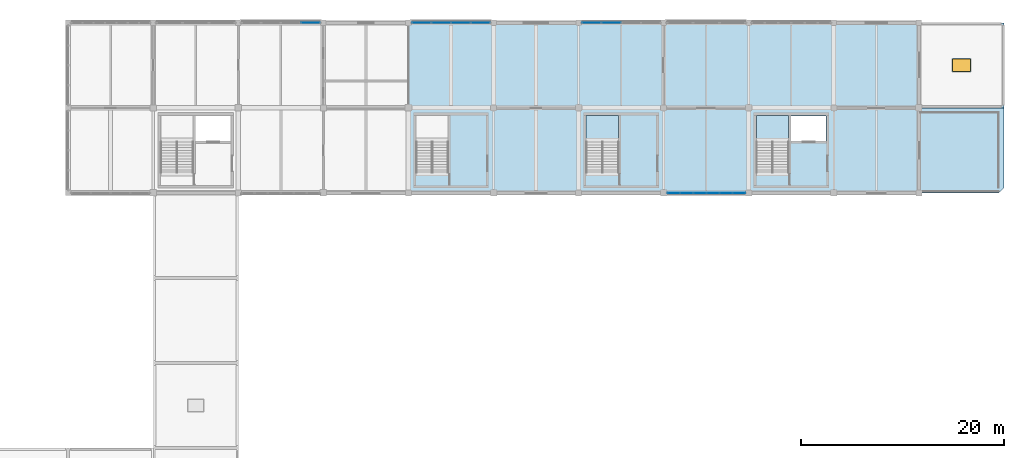
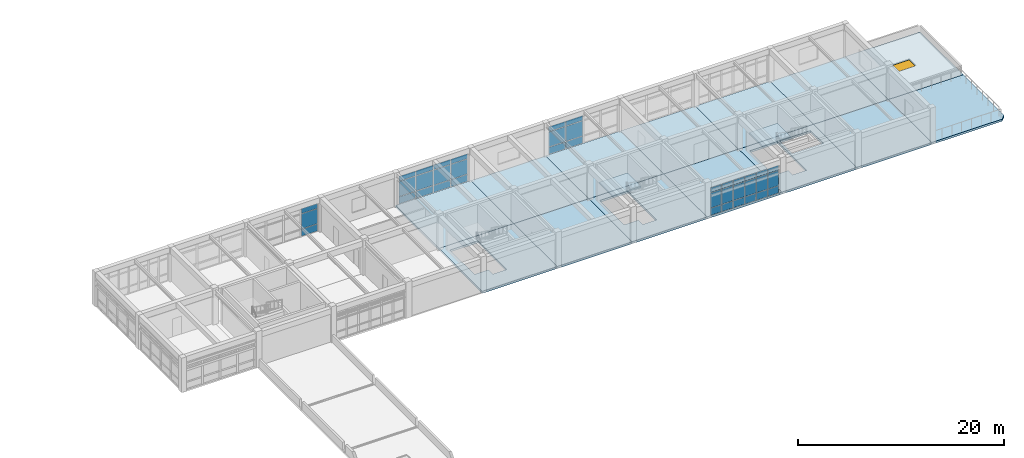
# One storey, part 13 of 18: 39 plates, 16 slabs, 1 window, 1 opening, 6 elements without a shape of their own.
"""IFC4 building model written with IfcOpenShell, lengths in metres."""

import ifcopenshell
import ifcopenshell.guid

model = None  # the IFC model being written
_history = None  # IfcOwnerHistory: only IFC2X3 demands one
_inside = {}  # id of a spatial element -> (the spatial element, [elements in it])
_under = {}  # id of a project, library or spatial element -> (it, [spatial elements below it])
_declared = {}  # id of a project -> (the project, [libraries it declares])
_typed = {}  # id of a type object -> (the type object, [elements of that type])
_made_of = {}  # id of a material, layer set ... -> (it, [elements and type objects made of it])


def new_model(schema):
    """Start an empty IFC model of exactly this schema.

    Asked for "IFC4X3", IfcOpenShell would pick the latest addendum, in which some entities
    have other attributes; the version numbers below select the first issue.
    IFC2X3 requires an IfcOwnerHistory on every rooted entity: one is made here for all.
    """
    global model, _history
    if schema == "IFC4X3":
        model = ifcopenshell.file(schema_version=(4, 3, 0, 0))
    else:
        model = ifcopenshell.file(schema=schema)
    _inside.clear()
    _under.clear()
    _declared.clear()
    _typed.clear()
    _made_of.clear()
    _history = None
    if model.schema == "IFC2X3":
        org = make("IfcOrganization", Name="unknown")
        user = make(
            "IfcPersonAndOrganization",
            ThePerson=make("IfcPerson", FamilyName="unknown"),
            TheOrganization=org,
        )
        app = make(
            "IfcApplication",
            ApplicationDeveloper=org,
            Version="unknown",
            ApplicationFullName="unknown",
            ApplicationIdentifier="unknown",
        )
        _history = make(
            "IfcOwnerHistory",
            OwningUser=user,
            OwningApplication=app,
            ChangeAction="ADDED",
            CreationDate=0,
        )
    return model


def make(cls, **values):
    """One entity of the class cls with the attributes given. An attribute that is None is left unset."""
    return model.create_entity(
        cls, **{name: value for name, value in values.items() if value is not None}
    )


def rooted(cls, **values):
    """An entity with a GlobalId (a new one), such as an element, a storey or a relation."""
    return make(cls, GlobalId=ifcopenshell.guid.new(), OwnerHistory=_history, **values)


def si_unit(unit_type, name, prefix=None):
    """IfcSIUnit, for example si_unit("LENGTHUNIT", "METRE", prefix="MILLI")."""
    return make("IfcSIUnit", UnitType=unit_type, Prefix=prefix, Name=name)


def assignment(units):
    """IfcUnitAssignment: the units of a project."""
    return None if units is None else make("IfcUnitAssignment", Units=units)


def point(xyz):
    """IfcCartesianPoint."""
    return None if xyz is None else make("IfcCartesianPoint", Coordinates=xyz)


def direction(xyz):
    """IfcDirection."""
    return None if xyz is None else make("IfcDirection", DirectionRatios=xyz)


def frame(location, z_axis=None, x_axis=None):
    """IfcAxis2Placement3D, a coordinate frame: its origin and axes. An axis left out is left unset."""
    return make(
        "IfcAxis2Placement3D",
        Location=point(location),
        Axis=direction(z_axis),
        RefDirection=direction(x_axis),
    )


def frame_2d(location, x_axis=None):
    """IfcAxis2Placement2D, a coordinate frame in the plane: its origin and x axis."""
    return make(
        "IfcAxis2Placement2D", Location=point(location), RefDirection=direction(x_axis)
    )


def origin():
    """The frame at (0, 0, 0) with its axes left unset."""
    return frame((0.0, 0.0, 0.0))


def origin_2d():
    """The frame at (0, 0) in the plane with its x axis left unset."""
    return frame_2d((0.0, 0.0))


def place(relative_to, where):
    """IfcLocalPlacement: puts the frame where relative to a parent placement (None: the world)."""
    return make(
        "IfcLocalPlacement", PlacementRelTo=relative_to, RelativePlacement=where
    )


def context(
    kind, dimensions, precision=None, world=None, true_north=None, identifier=None
):
    """IfcGeometricRepresentationContext, for example the 3D "Model" context."""
    return make(
        "IfcGeometricRepresentationContext",
        ContextIdentifier=identifier,
        ContextType=kind,
        CoordinateSpaceDimension=dimensions,
        Precision=precision,
        WorldCoordinateSystem=world,
        TrueNorth=true_north,
    )


def subcontext(parent, identifier, kind, view, scale=None):
    """IfcGeometricRepresentationSubContext, for example "Body" below "Model"."""
    return make(
        "IfcGeometricRepresentationSubContext",
        ContextIdentifier=identifier,
        ContextType=kind,
        ParentContext=parent,
        TargetScale=scale,
        TargetView=view,
    )


def project(units=None, contexts=None):
    """IfcProject with its units and contexts."""
    return rooted(
        "IfcProject",
        Name="project",
        RepresentationContexts=contexts,
        UnitsInContext=assignment(units),
    )


def spatial(cls, under=None, at=None, **own):
    """A site, building, storey or space (cls), placed at a placement, below another one or the project."""
    s = rooted(cls, ObjectPlacement=at, **own)
    if under is not None:
        _under.setdefault(under.id(), (under, []))[1].append(s)
    return s


def polyline(points):
    """IfcPolyline through the points."""
    return make("IfcPolyline", Points=[point(p) for p in points])


def profile(cls, at=None, kind="AREA", **sizes):
    """A parametric profile (cls). Its sizes go by their IFC names, for example OverallWidth=200.0."""
    return make(cls, ProfileType=kind, Position=at, **sizes)


def rectangle(**sizes):
    """IfcRectangleProfileDef."""
    return profile("IfcRectangleProfileDef", **sizes)


def outline(outer, holes=None, kind="AREA"):
    """IfcArbitraryClosedProfileDef: a profile drawn as a closed curve; with holes, ...WithVoids."""
    if holes is None:
        return make("IfcArbitraryClosedProfileDef", ProfileType=kind, OuterCurve=outer)
    return make(
        "IfcArbitraryProfileDefWithVoids",
        ProfileType=kind,
        OuterCurve=outer,
        InnerCurves=holes,
    )


def extrude(swept, where, along, depth):
    """IfcExtrudedAreaSolid: the profile swept, set in the frame where, extruded along a direction by depth."""
    return make(
        "IfcExtrudedAreaSolid",
        SweptArea=swept,
        Position=where,
        ExtrudedDirection=direction(along),
        Depth=depth,
    )


def shape(context_of_items, identifier, shape_type, items):
    """IfcShapeRepresentation: the items that make up one representation, for example the "Body"."""
    return make(
        "IfcShapeRepresentation",
        ContextOfItems=context_of_items,
        RepresentationIdentifier=identifier,
        RepresentationType=shape_type,
        Items=items,
    )


def material(Name=None, Category=None):
    """IfcMaterial."""
    return make("IfcMaterial", Name=Name, Category=Category)


def layer(
    of_material, thickness, ventilated=None, Name=None, Category=None, Priority=None
):
    """IfcMaterialLayer: one layer of a wall or slab, of a material (None: an air gap)."""
    return make(
        "IfcMaterialLayer",
        Material=of_material,
        LayerThickness=thickness,
        IsVentilated=ventilated,
        Name=Name,
        Category=Category,
        Priority=Priority,
    )


def layer_set(layers, Name=None):
    """IfcMaterialLayerSet."""
    return make("IfcMaterialLayerSet", MaterialLayers=layers, LayerSetName=Name)


def made_of(thing, what):
    """Note that an element or type object is made of a material, layer set ...; save() writes the relation."""
    if what is not None:
        _made_of.setdefault(what.id(), (what, []))[1].append(thing)
    return thing


def type_object(cls, material=None, **own):
    """A type object (cls), such as IfcWallType, which elements share."""
    return made_of(rooted(cls, **own), material)


def element(
    cls,
    number,
    at=None,
    inside=None,
    cuts=None,
    type_object=None,
    material=None,
    context=None,
    identifier="Body",
    shape_type=None,
    held_by="IfcProductDefinitionShape",
    body=None,
    shapes=None,
    **own,
):
    """One element of the class cls, such as IfcWall. Its Tag is "e" and its number.

    at: its placement. inside: the storey or other place that contains it. cuts: it is an
    opening in that element (IfcRelVoidsElement). A single representation is given by context,
    identifier, shape_type and body (its items); several are given by shapes. held_by: the class
    of the entity that holds the representations. save() writes the other relations.
    """
    e = rooted(cls, Tag="e%d" % number, ObjectPlacement=at, **own)
    if body is not None:
        shapes = [shape(context, identifier, shape_type, body)]
    if shapes is not None:
        e.Representation = make(held_by, Representations=shapes)
    if inside is not None:
        _inside.setdefault(inside.id(), (inside, []))[1].append(e)
    if cuts is not None:
        rooted(
            "IfcRelVoidsElement", RelatingBuildingElement=cuts, RelatedOpeningElement=e
        )
    if type_object is not None:
        _typed.setdefault(type_object.id(), (type_object, []))[1].append(e)
    return made_of(e, material)


def fill(opening, filler):
    """IfcRelFillsElement: the door or window that sits in an opening."""
    return rooted(
        "IfcRelFillsElement",
        RelatingOpeningElement=opening,
        RelatedBuildingElement=filler,
    )


def aggregate(whole, parts):
    """IfcRelAggregates: a whole, such as a stair, and the parts it consists of."""
    return rooted("IfcRelAggregates", RelatingObject=whole, RelatedObjects=parts)


def save(model, path):
    """Write the relations noted so far, then the file.

    IfcRelAggregates (storeys below a building ...), IfcRelContainedInSpatialStructure (elements
    in a storey), IfcRelDefinesByType, IfcRelAssociatesMaterial and IfcRelDeclares: one each for
    every whole, place, type object, material and project.
    """
    for whole, parts in _under.values():
        aggregate(whole, parts)
    for where, things in _inside.values():
        rooted(
            "IfcRelContainedInSpatialStructure",
            RelatedElements=things,
            RelatingStructure=where,
        )
    for kind, things in _typed.values():
        rooted("IfcRelDefinesByType", RelatedObjects=things, RelatingType=kind)
    for what, things in _made_of.values():
        rooted("IfcRelAssociatesMaterial", RelatedObjects=things, RelatingMaterial=what)
    for by, libraries in _declared.values():
        rooted("IfcRelDeclares", RelatingContext=by, RelatedDefinitions=libraries)
    model.write(path)


model = new_model("IFC4")

# Units and contexts
model_context = context("Model", 3, precision=1e-05, world=origin(), true_north=direction((0.0, 1.0)))
body_context = subcontext(model_context, "Body", "Model", "MODEL_VIEW")
ifc_project = project(units=[si_unit("LENGTHUNIT", "METRE"), si_unit("AREAUNIT", "SQUARE_METRE"), si_unit("VOLUMEUNIT", "CUBIC_METRE"), si_unit("PLANEANGLEUNIT", "RADIAN"), si_unit("MASSUNIT", "GRAM", prefix="KILO")], contexts=[model_context])

# Site, building, storey
site_placement = place(None, origin())
site = spatial("IfcSite", under=ifc_project, at=site_placement, CompositionType="ELEMENT")
building_placement = place(site_placement, origin())
building = spatial("IfcBuilding", under=site, at=building_placement, Name="Porcellanite Civic Hall", CompositionType="ELEMENT")
storey_placement = place(building_placement, frame((0.0, 0.0, 23.39990234375)))
storey = spatial("IfcBuildingStorey", under=building, at=storey_placement, Name="L05", CompositionType="ELEMENT", Elevation=23.39990234375)

# Curtain wall, plates
ifc_material_1 = material(Name="Anodised aluminium and solar laminated glass", Category="aluminium")
ifc_layer_1 = layer(ifc_material_1, 0.179931640625)
ifc_layer_set_1 = layer_set([ifc_layer_1], Name="Anodised aluminium and solar laminated glass")
curtain_wall_type_1 = type_object("IfcCurtainWallType", Name="CW-SYS03", PredefinedType="NOTDEFINED", material=ifc_layer_set_1)
curtain_wall_1_placement = place(storey_placement, origin())
curtain_wall_1 = element("IfcCurtainWall", 1, at=curtain_wall_1_placement, inside=storey, type_object=curtain_wall_type_1, Name="Curtain wall CW-264", PredefinedType="NOTDEFINED")
ifc_material_2 = material(Name="Cyclone laminated solar-control low-E glass", Category="glass")
ifc_layer_2 = layer(ifc_material_2, 0.031982421875)
ifc_layer_set_2 = layer_set([ifc_layer_2], Name="Cyclone laminated solar-control low-E glass")
plate_type_1 = type_object("IfcPlateType", Name="CWP-05", PredefinedType="CURTAIN_PANEL", material=ifc_layer_set_2)
plate_1_placement = place(storey_placement, frame((65.923095703125, 117.60009765625, 0.05517578125), z_axis=(0.0, 0.0, 1.0), x_axis=(1.0, 0.0, 0.0)))
plate_1 = element("IfcPlate", 2, at=plate_1_placement, type_object=plate_type_1, Name="CW-264 panel 4.1", PredefinedType="CURTAIN_PANEL", context=body_context, shape_type="SweptSolid", body=[
    extrude(rectangle(XDim=1.842041015625, YDim=0.031982421875, at=origin_2d()), origin(), (0.0, 0.0, 1.0), 0.8173828125),
])
plate_2_placement = place(storey_placement, frame((65.923095703125, 117.60009765625, 0.927734375), z_axis=(0.0, 0.0, 1.0), x_axis=(1.0, 0.0, 0.0)))
plate_2 = element("IfcPlate", 3, at=plate_2_placement, type_object=plate_type_1, Name="CW-264 panel 4.2", PredefinedType="CURTAIN_PANEL", context=body_context, shape_type="SweptSolid", body=[
    extrude(rectangle(XDim=1.842041015625, YDim=0.031982421875, at=origin_2d()), origin(), (0.0, 0.0, 1.0), 1.764892578125),
])
plate_3_placement = place(storey_placement, frame((65.923095703125, 117.60009765625, 2.74755859375), z_axis=(0.0, 0.0, 1.0), x_axis=(1.0, 0.0, 0.0)))
plate_3 = element("IfcPlate", 4, at=plate_3_placement, type_object=plate_type_1, Name="CW-264 panel 4.3", PredefinedType="CURTAIN_PANEL", context=body_context, shape_type="SweptSolid", body=[
    extrude(rectangle(XDim=1.842041015625, YDim=0.031982421875, at=origin_2d()), origin(), (0.0, 0.0, 1.0), 0.5673828125),
])
aggregate(curtain_wall_1, [plate_1, plate_2, plate_3])

ifc_material_3 = material(Name="Anodised aluminium and solar laminated glass", Category="aluminium")
ifc_layer_3 = layer(ifc_material_3, 0.179931640625)
ifc_layer_set_3 = layer_set([ifc_layer_3], Name="Anodised aluminium and solar laminated glass")
curtain_wall_type_2 = type_object("IfcCurtainWallType", Name="CW-SYS04", PredefinedType="NOTDEFINED", material=ifc_layer_set_3)
curtain_wall_2_placement = place(storey_placement, origin())
curtain_wall_2 = element("IfcCurtainWall", 5, at=curtain_wall_2_placement, inside=storey, type_object=curtain_wall_type_2, Name="Curtain wall CW-265", PredefinedType="NOTDEFINED")
ifc_material_4 = material(Name="Cyclone laminated solar-control low-E glass", Category="glass")
ifc_layer_4 = layer(ifc_material_4, 0.033935546875)
ifc_layer_set_4 = layer_set([ifc_layer_4], Name="Cyclone laminated solar-control low-E glass")
plate_type_2 = type_object("IfcPlateType", Name="CWP-06", PredefinedType="CURTAIN_PANEL", material=ifc_layer_set_4)
plate_4_placement = place(storey_placement, frame((76.875732421875, 117.60009765625, 0.05517578125), z_axis=(0.0, 0.0, 1.0), x_axis=(1.0, 0.0, 0.0)))
plate_4 = element("IfcPlate", 6, at=plate_4_placement, type_object=plate_type_2, Name="CW-265 panel 1.1", PredefinedType="CURTAIN_PANEL", context=body_context, shape_type="SweptSolid", body=[
    extrude(rectangle(XDim=1.849609375, YDim=0.033935546875, at=origin_2d()), origin(), (0.0, 0.0, 1.0), 0.8173828125),
])
plate_5_placement = place(storey_placement, frame((76.875732421875, 117.60009765625, 0.927734375), z_axis=(0.0, 0.0, 1.0), x_axis=(1.0, 0.0, 0.0)))
plate_5 = element("IfcPlate", 7, at=plate_5_placement, type_object=plate_type_2, Name="CW-265 panel 1.2", PredefinedType="CURTAIN_PANEL", context=body_context, shape_type="SweptSolid", body=[
    extrude(rectangle(XDim=1.849609375, YDim=0.033935546875, at=origin_2d()), origin(), (0.0, 0.0, 1.0), 1.764892578125),
])
plate_6_placement = place(storey_placement, frame((76.875732421875, 117.60009765625, 2.74755859375), z_axis=(0.0, 0.0, 1.0), x_axis=(1.0, 0.0, 0.0)))
plate_6 = element("IfcPlate", 8, at=plate_6_placement, type_object=plate_type_2, Name="CW-265 panel 1.3", PredefinedType="CURTAIN_PANEL", context=body_context, shape_type="SweptSolid", body=[
    extrude(rectangle(XDim=1.849609375, YDim=0.033935546875, at=origin_2d()), origin(), (0.0, 0.0, 1.0), 0.5673828125),
])
plate_7_placement = place(storey_placement, frame((78.819091796875, 117.60009765625, 0.05517578125), z_axis=(0.0, 0.0, 1.0), x_axis=(1.0, 0.0, 0.0)))
plate_7 = element("IfcPlate", 9, at=plate_7_placement, type_object=plate_type_2, Name="CW-265 panel 2.1", PredefinedType="CURTAIN_PANEL", context=body_context, shape_type="SweptSolid", body=[
    extrude(rectangle(XDim=1.886962890625, YDim=0.033935546875, at=origin_2d()), origin(), (0.0, 0.0, 1.0), 0.8173828125),
])
plate_8_placement = place(storey_placement, frame((78.819091796875, 117.60009765625, 0.927734375), z_axis=(0.0, 0.0, 1.0), x_axis=(1.0, 0.0, 0.0)))
plate_8 = element("IfcPlate", 10, at=plate_8_placement, type_object=plate_type_2, Name="CW-265 panel 2.2", PredefinedType="CURTAIN_PANEL", context=body_context, shape_type="SweptSolid", body=[
    extrude(rectangle(XDim=1.886962890625, YDim=0.033935546875, at=origin_2d()), origin(), (0.0, 0.0, 1.0), 1.764892578125),
])
plate_9_placement = place(storey_placement, frame((78.819091796875, 117.60009765625, 2.74755859375), z_axis=(0.0, 0.0, 1.0), x_axis=(1.0, 0.0, 0.0)))
plate_9 = element("IfcPlate", 11, at=plate_9_placement, type_object=plate_type_2, Name="CW-265 panel 2.3", PredefinedType="CURTAIN_PANEL", context=body_context, shape_type="SweptSolid", body=[
    extrude(rectangle(XDim=1.886962890625, YDim=0.033935546875, at=origin_2d()), origin(), (0.0, 0.0, 1.0), 0.5673828125),
])
plate_10_placement = place(storey_placement, frame((80.781005859375, 117.60009765625, 0.05517578125), z_axis=(0.0, 0.0, 1.0), x_axis=(1.0, 0.0, 0.0)))
plate_10 = element("IfcPlate", 12, at=plate_10_placement, type_object=plate_type_2, Name="CW-265 panel 3.1", PredefinedType="CURTAIN_PANEL", context=body_context, shape_type="SweptSolid", body=[
    extrude(rectangle(XDim=1.886962890625, YDim=0.033935546875, at=origin_2d()), origin(), (0.0, 0.0, 1.0), 0.8173828125),
])
plate_11_placement = place(storey_placement, frame((80.781005859375, 117.60009765625, 0.927734375), z_axis=(0.0, 0.0, 1.0), x_axis=(1.0, 0.0, 0.0)))
plate_11 = element("IfcPlate", 13, at=plate_11_placement, type_object=plate_type_2, Name="CW-265 panel 3.2", PredefinedType="CURTAIN_PANEL", context=body_context, shape_type="SweptSolid", body=[
    extrude(rectangle(XDim=1.886962890625, YDim=0.033935546875, at=origin_2d()), origin(), (0.0, 0.0, 1.0), 1.764892578125),
])
plate_12_placement = place(storey_placement, frame((80.781005859375, 117.60009765625, 2.74755859375), z_axis=(0.0, 0.0, 1.0), x_axis=(1.0, 0.0, 0.0)))
plate_12 = element("IfcPlate", 14, at=plate_12_placement, type_object=plate_type_2, Name="CW-265 panel 3.3", PredefinedType="CURTAIN_PANEL", context=body_context, shape_type="SweptSolid", body=[
    extrude(rectangle(XDim=1.886962890625, YDim=0.033935546875, at=origin_2d()), origin(), (0.0, 0.0, 1.0), 0.5673828125),
])
plate_13_placement = place(storey_placement, frame((82.724365234375, 117.60009765625, 0.05517578125), z_axis=(0.0, 0.0, 1.0), x_axis=(1.0, 0.0, 0.0)))
plate_13 = element("IfcPlate", 15, at=plate_13_placement, type_object=plate_type_2, Name="CW-265 panel 4.1", PredefinedType="CURTAIN_PANEL", context=body_context, shape_type="SweptSolid", body=[
    extrude(rectangle(XDim=1.849609375, YDim=0.033935546875, at=origin_2d()), origin(), (0.0, 0.0, 1.0), 0.8173828125),
])
plate_14_placement = place(storey_placement, frame((82.724365234375, 117.60009765625, 0.927734375), z_axis=(0.0, 0.0, 1.0), x_axis=(1.0, 0.0, 0.0)))
plate_14 = element("IfcPlate", 16, at=plate_14_placement, type_object=plate_type_2, Name="CW-265 panel 4.2", PredefinedType="CURTAIN_PANEL", context=body_context, shape_type="SweptSolid", body=[
    extrude(rectangle(XDim=1.849609375, YDim=0.033935546875, at=origin_2d()), origin(), (0.0, 0.0, 1.0), 1.764892578125),
])
plate_15_placement = place(storey_placement, frame((82.724365234375, 117.60009765625, 2.74755859375), z_axis=(0.0, 0.0, 1.0), x_axis=(1.0, 0.0, 0.0)))
plate_15 = element("IfcPlate", 17, at=plate_15_placement, type_object=plate_type_2, Name="CW-265 panel 4.3", PredefinedType="CURTAIN_PANEL", context=body_context, shape_type="SweptSolid", body=[
    extrude(rectangle(XDim=1.849609375, YDim=0.033935546875, at=origin_2d()), origin(), (0.0, 0.0, 1.0), 0.5673828125),
])
aggregate(curtain_wall_2, [plate_4, plate_5, plate_6, plate_7, plate_8, plate_9, plate_10, plate_11, plate_12, plate_13, plate_14, plate_15])

ifc_material_5 = material(Name="Anodised aluminium and solar laminated glass", Category="aluminium")
ifc_layer_5 = layer(ifc_material_5, 0.179931640625)
ifc_layer_set_5 = layer_set([ifc_layer_5], Name="Anodised aluminium and solar laminated glass")
curtain_wall_type_3 = type_object("IfcCurtainWallType", Name="CW-SYS06", PredefinedType="NOTDEFINED", material=ifc_layer_set_5)
curtain_wall_3_placement = place(storey_placement, origin())
curtain_wall_3 = element("IfcCurtainWall", 18, at=curtain_wall_3_placement, inside=storey, type_object=curtain_wall_type_3, Name="Curtain wall CW-266", PredefinedType="NOTDEFINED")
ifc_material_6 = material(Name="Cyclone laminated solar-control low-E glass", Category="glass")
ifc_layer_6 = layer(ifc_material_6, 0.035888671875)
ifc_layer_set_6 = layer_set([ifc_layer_6], Name="Cyclone laminated solar-control low-E glass")
plate_type_3 = type_object("IfcPlateType", Name="CWP-07", PredefinedType="CURTAIN_PANEL", material=ifc_layer_set_6)
plate_16_placement = place(storey_placement, frame((93.67333984375, 117.60009765625, 0.05029296875), z_axis=(0.0, 0.0, 1.0), x_axis=(1.0, 0.0, 0.0)))
plate_16 = element("IfcPlate", 19, at=plate_16_placement, type_object=plate_type_3, Name="CW-266 panel 1.1", PredefinedType="CURTAIN_PANEL", context=body_context, shape_type="SweptSolid", body=[
    extrude(rectangle(XDim=1.864501953125, YDim=0.035888671875, at=origin_2d()), origin(), (0.0, 0.0, 1.0), 0.824951171875),
])
plate_17_placement = place(storey_placement, frame((93.67333984375, 117.60009765625, 0.925048828125), z_axis=(0.0, 0.0, 1.0), x_axis=(1.0, 0.0, 0.0)))
plate_17 = element("IfcPlate", 20, at=plate_17_placement, type_object=plate_type_3, Name="CW-266 panel 1.2", PredefinedType="CURTAIN_PANEL", context=body_context, shape_type="SweptSolid", body=[
    extrude(rectangle(XDim=1.864501953125, YDim=0.035888671875, at=origin_2d()), origin(), (0.0, 0.0, 1.0), 1.77001953125),
])
plate_18_placement = place(storey_placement, frame((93.67333984375, 117.60009765625, 2.7451171875), z_axis=(0.0, 0.0, 1.0), x_axis=(1.0, 0.0, 0.0)))
plate_18 = element("IfcPlate", 21, at=plate_18_placement, type_object=plate_type_3, Name="CW-266 panel 1.3", PredefinedType="CURTAIN_PANEL", context=body_context, shape_type="SweptSolid", body=[
    extrude(rectangle(XDim=1.864501953125, YDim=0.035888671875, at=origin_2d()), origin(), (0.0, 0.0, 1.0), 0.574951171875),
])
plate_19_placement = place(storey_placement, frame((95.618896484375, 117.60009765625, 0.05029296875), z_axis=(0.0, 0.0, 1.0), x_axis=(1.0, 0.0, 0.0)))
plate_19 = element("IfcPlate", 22, at=plate_19_placement, type_object=plate_type_3, Name="CW-266 panel 2.1", PredefinedType="CURTAIN_PANEL", context=body_context, shape_type="SweptSolid", body=[
    extrude(rectangle(XDim=1.89697265625, YDim=0.035888671875, at=origin_2d()), origin(), (0.0, 0.0, 1.0), 0.824951171875),
])
plate_20_placement = place(storey_placement, frame((95.618896484375, 117.60009765625, 0.925048828125), z_axis=(0.0, 0.0, 1.0), x_axis=(1.0, 0.0, 0.0)))
plate_20 = element("IfcPlate", 23, at=plate_20_placement, type_object=plate_type_3, Name="CW-266 panel 2.2", PredefinedType="CURTAIN_PANEL", context=body_context, shape_type="SweptSolid", body=[
    extrude(rectangle(XDim=1.89697265625, YDim=0.035888671875, at=origin_2d()), origin(), (0.0, 0.0, 1.0), 1.77001953125),
])
plate_21_placement = place(storey_placement, frame((95.618896484375, 117.60009765625, 2.7451171875), z_axis=(0.0, 0.0, 1.0), x_axis=(1.0, 0.0, 0.0)))
plate_21 = element("IfcPlate", 24, at=plate_21_placement, type_object=plate_type_3, Name="CW-266 panel 2.3", PredefinedType="CURTAIN_PANEL", context=body_context, shape_type="SweptSolid", body=[
    extrude(rectangle(XDim=1.89697265625, YDim=0.035888671875, at=origin_2d()), origin(), (0.0, 0.0, 1.0), 0.574951171875),
])
aggregate(curtain_wall_3, [plate_16, plate_17, plate_18, plate_19, plate_20, plate_21])

ifc_material_7 = material(Name="Anodised aluminium and solar laminated glass", Category="aluminium")
ifc_layer_7 = layer(ifc_material_7, 0.179931640625)
ifc_layer_set_7 = layer_set([ifc_layer_7], Name="Anodised aluminium and solar laminated glass")
curtain_wall_type_4 = type_object("IfcCurtainWallType", Name="CW-SYS07", PredefinedType="NOTDEFINED", material=ifc_layer_set_7)
curtain_wall_4_placement = place(storey_placement, origin())
curtain_wall_4 = element("IfcCurtainWall", 25, at=curtain_wall_4_placement, inside=storey, type_object=curtain_wall_type_4, Name="Curtain wall CW-267", PredefinedType="NOTDEFINED")
ifc_material_8 = material(Name="Insulated ochre aluminium spandrel panel", Category="aluminium")
ifc_layer_8 = layer(ifc_material_8, 0.0380859375)
ifc_layer_set_8 = layer_set([ifc_layer_8], Name="Insulated ochre aluminium spandrel panel")
plate_type_4 = type_object("IfcPlateType", Name="CWP-08", PredefinedType="CURTAIN_PANEL", material=ifc_layer_set_8)
plate_22_placement = place(storey_placement, frame((108.236328125, 100.800048828125, 0.05029296875), z_axis=(0.0, 0.0, 1.0), x_axis=(-1.0, 0.0, 0.0)))
plate_22 = element("IfcPlate", 26, at=plate_22_placement, type_object=plate_type_4, Name="CW-267 panel 1.1", PredefinedType="CURTAIN_PANEL", context=body_context, shape_type="SweptSolid", body=[
    extrude(rectangle(XDim=1.20556640625, YDim=0.0380859375, at=origin_2d()), origin(), (0.0, 0.0, 1.0), 0.824951171875),
])
plate_23_placement = place(storey_placement, frame((108.236328125, 100.800048828125, 0.925048828125), z_axis=(0.0, 0.0, 1.0), x_axis=(-1.0, 0.0, 0.0)))
plate_23 = element("IfcPlate", 27, at=plate_23_placement, type_object=plate_type_4, Name="CW-267 panel 1.2", PredefinedType="CURTAIN_PANEL", context=body_context, shape_type="SweptSolid", body=[
    extrude(rectangle(XDim=1.20556640625, YDim=0.0380859375, at=origin_2d()), origin(), (0.0, 0.0, 1.0), 1.77001953125),
])
plate_24_placement = place(storey_placement, frame((108.236328125, 100.800048828125, 2.7451171875), z_axis=(0.0, 0.0, 1.0), x_axis=(-1.0, 0.0, 0.0)))
plate_24 = element("IfcPlate", 28, at=plate_24_placement, type_object=plate_type_4, Name="CW-267 panel 1.3", PredefinedType="CURTAIN_PANEL", context=body_context, shape_type="SweptSolid", body=[
    extrude(rectangle(XDim=1.20556640625, YDim=0.0380859375, at=origin_2d()), origin(), (0.0, 0.0, 1.0), 0.574951171875),
])
plate_25_placement = place(storey_placement, frame((106.955810546875, 100.800048828125, 0.05029296875), z_axis=(0.0, 0.0, 1.0), x_axis=(-1.0, 0.0, 0.0)))
plate_25 = element("IfcPlate", 29, at=plate_25_placement, type_object=plate_type_4, Name="CW-267 panel 2.1", PredefinedType="CURTAIN_PANEL", context=body_context, shape_type="SweptSolid", body=[
    extrude(rectangle(XDim=1.235595703125, YDim=0.0380859375, at=origin_2d()), origin(), (0.0, 0.0, 1.0), 0.824951171875),
])
plate_26_placement = place(storey_placement, frame((106.955810546875, 100.800048828125, 0.925048828125), z_axis=(0.0, 0.0, 1.0), x_axis=(-1.0, 0.0, 0.0)))
plate_26 = element("IfcPlate", 30, at=plate_26_placement, type_object=plate_type_4, Name="CW-267 panel 2.2", PredefinedType="CURTAIN_PANEL", context=body_context, shape_type="SweptSolid", body=[
    extrude(rectangle(XDim=1.235595703125, YDim=0.0380859375, at=origin_2d()), origin(), (0.0, 0.0, 1.0), 1.77001953125),
])
plate_27_placement = place(storey_placement, frame((106.955810546875, 100.800048828125, 2.7451171875), z_axis=(0.0, 0.0, 1.0), x_axis=(-1.0, 0.0, 0.0)))
plate_27 = element("IfcPlate", 31, at=plate_27_placement, type_object=plate_type_4, Name="CW-267 panel 2.3", PredefinedType="CURTAIN_PANEL", context=body_context, shape_type="SweptSolid", body=[
    extrude(rectangle(XDim=1.235595703125, YDim=0.0380859375, at=origin_2d()), origin(), (0.0, 0.0, 1.0), 0.574951171875),
])
plate_28_placement = place(storey_placement, frame((105.66015625, 100.800048828125, 0.05029296875), z_axis=(0.0, 0.0, 1.0), x_axis=(-1.0, 0.0, 0.0)))
plate_28 = element("IfcPlate", 32, at=plate_28_placement, type_object=plate_type_4, Name="CW-267 panel 3.1", PredefinedType="CURTAIN_PANEL", context=body_context, shape_type="SweptSolid", body=[
    extrude(rectangle(XDim=1.235595703125, YDim=0.0380859375, at=origin_2d()), origin(), (0.0, 0.0, 1.0), 0.824951171875),
])
plate_29_placement = place(storey_placement, frame((105.66015625, 100.800048828125, 0.925048828125), z_axis=(0.0, 0.0, 1.0), x_axis=(-1.0, 0.0, 0.0)))
plate_29 = element("IfcPlate", 33, at=plate_29_placement, type_object=plate_type_4, Name="CW-267 panel 3.2", PredefinedType="CURTAIN_PANEL", context=body_context, shape_type="SweptSolid", body=[
    extrude(rectangle(XDim=1.235595703125, YDim=0.0380859375, at=origin_2d()), origin(), (0.0, 0.0, 1.0), 1.77001953125),
])
plate_30_placement = place(storey_placement, frame((105.66015625, 100.800048828125, 2.7451171875), z_axis=(0.0, 0.0, 1.0), x_axis=(-1.0, 0.0, 0.0)))
plate_30 = element("IfcPlate", 34, at=plate_30_placement, type_object=plate_type_4, Name="CW-267 panel 3.3", PredefinedType="CURTAIN_PANEL", context=body_context, shape_type="SweptSolid", body=[
    extrude(rectangle(XDim=1.235595703125, YDim=0.0380859375, at=origin_2d()), origin(), (0.0, 0.0, 1.0), 0.574951171875),
])
plate_31_placement = place(storey_placement, frame((104.36474609375, 100.800048828125, 0.05029296875), z_axis=(0.0, 0.0, 1.0), x_axis=(-1.0, 0.0, 0.0)))
plate_31 = element("IfcPlate", 35, at=plate_31_placement, type_object=plate_type_4, Name="CW-267 panel 4.1", PredefinedType="CURTAIN_PANEL", context=body_context, shape_type="SweptSolid", body=[
    extrude(rectangle(XDim=1.235595703125, YDim=0.0380859375, at=origin_2d()), origin(), (0.0, 0.0, 1.0), 0.824951171875),
])
plate_32_placement = place(storey_placement, frame((104.36474609375, 100.800048828125, 0.925048828125), z_axis=(0.0, 0.0, 1.0), x_axis=(-1.0, 0.0, 0.0)))
plate_32 = element("IfcPlate", 36, at=plate_32_placement, type_object=plate_type_4, Name="CW-267 panel 4.2", PredefinedType="CURTAIN_PANEL", context=body_context, shape_type="SweptSolid", body=[
    extrude(rectangle(XDim=1.235595703125, YDim=0.0380859375, at=origin_2d()), origin(), (0.0, 0.0, 1.0), 1.77001953125),
])
plate_33_placement = place(storey_placement, frame((104.36474609375, 100.800048828125, 2.7451171875), z_axis=(0.0, 0.0, 1.0), x_axis=(-1.0, 0.0, 0.0)))
plate_33 = element("IfcPlate", 37, at=plate_33_placement, type_object=plate_type_4, Name="CW-267 panel 4.3", PredefinedType="CURTAIN_PANEL", context=body_context, shape_type="SweptSolid", body=[
    extrude(rectangle(XDim=1.235595703125, YDim=0.0380859375, at=origin_2d()), origin(), (0.0, 0.0, 1.0), 0.574951171875),
])
plate_34_placement = place(storey_placement, frame((103.0693359375, 100.800048828125, 0.05029296875), z_axis=(0.0, 0.0, 1.0), x_axis=(-1.0, 0.0, 0.0)))
plate_34 = element("IfcPlate", 38, at=plate_34_placement, type_object=plate_type_4, Name="CW-267 panel 5.1", PredefinedType="CURTAIN_PANEL", context=body_context, shape_type="SweptSolid", body=[
    extrude(rectangle(XDim=1.235595703125, YDim=0.0380859375, at=origin_2d()), origin(), (0.0, 0.0, 1.0), 0.824951171875),
])
plate_35_placement = place(storey_placement, frame((103.0693359375, 100.800048828125, 0.925048828125), z_axis=(0.0, 0.0, 1.0), x_axis=(-1.0, 0.0, 0.0)))
plate_35 = element("IfcPlate", 39, at=plate_35_placement, type_object=plate_type_4, Name="CW-267 panel 5.2", PredefinedType="CURTAIN_PANEL", context=body_context, shape_type="SweptSolid", body=[
    extrude(rectangle(XDim=1.235595703125, YDim=0.0380859375, at=origin_2d()), origin(), (0.0, 0.0, 1.0), 1.77001953125),
])
plate_36_placement = place(storey_placement, frame((103.0693359375, 100.800048828125, 2.7451171875), z_axis=(0.0, 0.0, 1.0), x_axis=(-1.0, 0.0, 0.0)))
plate_36 = element("IfcPlate", 40, at=plate_36_placement, type_object=plate_type_4, Name="CW-267 panel 5.3", PredefinedType="CURTAIN_PANEL", context=body_context, shape_type="SweptSolid", body=[
    extrude(rectangle(XDim=1.235595703125, YDim=0.0380859375, at=origin_2d()), origin(), (0.0, 0.0, 1.0), 0.574951171875),
])
plate_37_placement = place(storey_placement, frame((101.788818359375, 100.800048828125, 0.05029296875), z_axis=(0.0, 0.0, 1.0), x_axis=(-1.0, 0.0, 0.0)))
plate_37 = element("IfcPlate", 41, at=plate_37_placement, type_object=plate_type_4, Name="CW-267 panel 6.1", PredefinedType="CURTAIN_PANEL", context=body_context, shape_type="SweptSolid", body=[
    extrude(rectangle(XDim=1.20556640625, YDim=0.0380859375, at=origin_2d()), origin(), (0.0, 0.0, 1.0), 0.824951171875),
])
plate_38_placement = place(storey_placement, frame((101.788818359375, 100.800048828125, 0.925048828125), z_axis=(0.0, 0.0, 1.0), x_axis=(-1.0, 0.0, 0.0)))
plate_38 = element("IfcPlate", 42, at=plate_38_placement, type_object=plate_type_4, Name="CW-267 panel 6.2", PredefinedType="CURTAIN_PANEL", context=body_context, shape_type="SweptSolid", body=[
    extrude(rectangle(XDim=1.20556640625, YDim=0.0380859375, at=origin_2d()), origin(), (0.0, 0.0, 1.0), 1.77001953125),
])
plate_39_placement = place(storey_placement, frame((101.788818359375, 100.800048828125, 2.7451171875), z_axis=(0.0, 0.0, 1.0), x_axis=(-1.0, 0.0, 0.0)))
plate_39 = element("IfcPlate", 43, at=plate_39_placement, type_object=plate_type_4, Name="CW-267 panel 6.3", PredefinedType="CURTAIN_PANEL", context=body_context, shape_type="SweptSolid", body=[
    extrude(rectangle(XDim=1.20556640625, YDim=0.0380859375, at=origin_2d()), origin(), (0.0, 0.0, 1.0), 0.574951171875),
])
aggregate(curtain_wall_4, [plate_22, plate_23, plate_24, plate_25, plate_26, plate_27, plate_28, plate_29, plate_30, plate_31, plate_32, plate_33, plate_34, plate_35, plate_36, plate_37, plate_38, plate_39])

# Stair, slab
ifc_material_9 = material(Name="Concrete N40 (40 MPa)", Category="concrete")
stair_type = type_object("IfcStairType", Name="STR-HT24", PredefinedType="HALF_TURN_STAIR", material=ifc_material_9)
stair_1_placement = place(storey_placement, origin())
stair_1 = element("IfcStair", 44, at=stair_1_placement, inside=storey, type_object=stair_type, Name="Fire stair ST-04 L05", PredefinedType="HALF_TURN_STAIR")
ifc_material_10 = material(Name="Concrete N40 (40 MPa)", Category="concrete")
ifc_layer_9 = layer(ifc_material_10, 0.179931640625)
ifc_layer_set_9 = layer_set([ifc_layer_9], Name="Concrete N40 (40 MPa)")
slab_type_1 = type_object("IfcSlabType", Name="LND-18", PredefinedType="LANDING", material=ifc_layer_set_9)
slab_1_placement = place(storey_placement, frame((0.0, 0.0, 1.97998046875)))
slab_1 = element("IfcSlab", 45, at=slab_1_placement, type_object=slab_type_1, Name="ST-04 landing 1", PredefinedType="LANDING", context=body_context, shape_type="SweptSolid", body=[
    extrude(outline(polyline([(109.9404296875, 105.824951171875), (113.119384765625, 105.824951171875), (113.119384765625, 108.45947265625), (109.9404296875, 108.45947265625), (109.9404296875, 105.824951171875)])), origin(), (0.0, 0.0, 1.0), 0.18017578125),
])
aggregate(stair_1, [slab_1])

stair_2_placement = place(storey_placement, origin())
stair_2 = element("IfcStair", 46, at=stair_2_placement, inside=storey, type_object=stair_type, Name="Fire stair ST-10 L05", PredefinedType="HALF_TURN_STAIR")
slab_2_placement = place(storey_placement, frame((0.0, 0.0, 1.97998046875)))
slab_2 = element("IfcSlab", 47, at=slab_2_placement, type_object=slab_type_1, Name="ST-10 landing 1", PredefinedType="LANDING", context=body_context, shape_type="SweptSolid", body=[
    extrude(outline(polyline([(93.140380859375, 105.824951171875), (96.319580078125, 105.824951171875), (96.319580078125, 108.45947265625), (93.140380859375, 108.45947265625), (93.140380859375, 105.824951171875)])), origin(), (0.0, 0.0, 1.0), 0.18017578125),
])
aggregate(stair_2, [slab_2])

# Slabs
ifc_material_11 = material(Name="Concrete N40 (40 MPa)", Category="concrete")
ifc_layer_10 = layer(ifc_material_11, 0.25)
ifc_layer_set_10 = layer_set([ifc_layer_10], Name="Concrete N40 (40 MPa)")
slab_type_2 = type_object("IfcSlabType", Name="SL-FL250", PredefinedType="FLOOR", material=ifc_layer_set_10)
slab_3_placement = place(storey_placement, frame((0.0, 0.0, -0.25)))
element("IfcSlab", 48, at=slab_3_placement, inside=storey, type_object=slab_type_2, Name="Slab L05 bay 10-13", PredefinedType="FLOOR", context=body_context, shape_type="SweptSolid", body=[
    extrude(outline(polyline([(75.60009765625, 100.800048828125), (84.0, 100.800048828125), (84.0, 109.199951171875), (75.60009765625, 109.199951171875), (75.60009765625, 100.800048828125)]), holes=[polyline([(76.3798828125, 103.64990234375), (77.9599609375, 103.64990234375), (77.9599609375, 102.800048828125), (79.52001953125, 102.800048828125), (79.52001953125, 108.419921875), (76.3798828125, 108.419921875), (76.3798828125, 103.64990234375)])]), origin(), (0.0, 0.0, 1.0), 0.25),
])
slab_4_placement = place(storey_placement, frame((0.0, 0.0, -0.25)))
element("IfcSlab", 49, at=slab_4_placement, inside=storey, type_object=slab_type_2, Name="Slab L05 bay 10-14", PredefinedType="FLOOR", context=body_context, shape_type="SweptSolid", body=[
    extrude(outline(polyline([(75.60009765625, 109.199951171875), (84.0, 109.199951171875), (84.0, 117.60009765625), (75.60009765625, 117.60009765625), (75.60009765625, 109.199951171875)])), origin(), (0.0, 0.0, 1.0), 0.25),
])
slab_5_placement = place(storey_placement, frame((0.0, 0.0, -0.25)))
element("IfcSlab", 50, at=slab_5_placement, inside=storey, type_object=slab_type_2, Name="Slab L05 bay 11-13", PredefinedType="FLOOR", context=body_context, shape_type="SweptSolid", body=[
    extrude(outline(polyline([(84.0, 100.800048828125), (92.39990234375, 100.800048828125), (92.39990234375, 109.199951171875), (84.0, 109.199951171875), (84.0, 100.800048828125)])), origin(), (0.0, 0.0, 1.0), 0.25),
])
slab_6_placement = place(storey_placement, frame((0.0, 0.0, -0.25)))
element("IfcSlab", 51, at=slab_6_placement, inside=storey, type_object=slab_type_2, Name="Slab L05 bay 11-14", PredefinedType="FLOOR", context=body_context, shape_type="SweptSolid", body=[
    extrude(outline(polyline([(84.0, 109.199951171875), (92.39990234375, 109.199951171875), (92.39990234375, 117.60009765625), (84.0, 117.60009765625), (84.0, 109.199951171875)])), origin(), (0.0, 0.0, 1.0), 0.25),
])
slab_7_placement = place(storey_placement, frame((0.0, 0.0, -0.25)))
element("IfcSlab", 52, at=slab_7_placement, inside=storey, type_object=slab_type_2, Name="Slab L05 bay 12-13", PredefinedType="FLOOR", context=body_context, shape_type="SweptSolid", body=[
    extrude(outline(polyline([(92.39990234375, 100.800048828125), (100.800048828125, 100.800048828125), (100.800048828125, 109.199951171875), (92.39990234375, 109.199951171875), (92.39990234375, 100.800048828125)]), holes=[polyline([(93.179931640625, 103.64990234375), (94.760009765625, 103.64990234375), (94.760009765625, 102.800048828125), (96.320068359375, 102.800048828125), (96.320068359375, 108.419921875), (93.179931640625, 108.419921875), (93.179931640625, 103.64990234375)])]), origin(), (0.0, 0.0, 1.0), 0.25),
])
slab_8_placement = place(storey_placement, frame((0.0, 0.0, -0.25)))
element("IfcSlab", 53, at=slab_8_placement, inside=storey, type_object=slab_type_2, Name="Slab L05 bay 12-14", PredefinedType="FLOOR", context=body_context, shape_type="SweptSolid", body=[
    extrude(outline(polyline([(92.39990234375, 109.199951171875), (100.800048828125, 109.199951171875), (100.800048828125, 117.60009765625), (92.39990234375, 117.60009765625), (92.39990234375, 109.199951171875)])), origin(), (0.0, 0.0, 1.0), 0.25),
])
slab_9_placement = place(storey_placement, frame((0.0, 0.0, -0.25)))
element("IfcSlab", 54, at=slab_9_placement, inside=storey, type_object=slab_type_2, Name="Slab L05 bay 13-13", PredefinedType="FLOOR", context=body_context, shape_type="SweptSolid", body=[
    extrude(outline(polyline([(100.800048828125, 100.800048828125), (109.199951171875, 100.800048828125), (109.199951171875, 109.199951171875), (100.800048828125, 109.199951171875), (100.800048828125, 100.800048828125)])), origin(), (0.0, 0.0, 1.0), 0.25),
])
slab_10_placement = place(storey_placement, frame((0.0, 0.0, -0.25)))
element("IfcSlab", 55, at=slab_10_placement, inside=storey, type_object=slab_type_2, Name="Slab L05 bay 13-14", PredefinedType="FLOOR", context=body_context, shape_type="SweptSolid", body=[
    extrude(outline(polyline([(100.800048828125, 109.199951171875), (109.199951171875, 109.199951171875), (109.199951171875, 117.60009765625), (100.800048828125, 117.60009765625), (100.800048828125, 109.199951171875)])), origin(), (0.0, 0.0, 1.0), 0.25),
])
slab_11_placement = place(storey_placement, frame((0.0, 0.0, -0.25)))
element("IfcSlab", 56, at=slab_11_placement, inside=storey, type_object=slab_type_2, Name="Slab L05 bay 14-13", PredefinedType="FLOOR", context=body_context, shape_type="SweptSolid", body=[
    extrude(outline(polyline([(109.199951171875, 100.800048828125), (117.60009765625, 100.800048828125), (117.60009765625, 109.199951171875), (109.199951171875, 109.199951171875), (109.199951171875, 100.800048828125)]), holes=[polyline([(109.97998046875, 103.64990234375), (111.56005859375, 103.64990234375), (111.56005859375, 102.800048828125), (113.1201171875, 102.800048828125), (113.1201171875, 108.419921875), (109.97998046875, 108.419921875), (109.97998046875, 103.64990234375)]), polyline([(113.360107421875, 105.93994140625), (116.820068359375, 105.93994140625), (116.820068359375, 108.419921875), (113.360107421875, 108.419921875), (113.360107421875, 105.93994140625)])]), origin(), (0.0, 0.0, 1.0), 0.25),
])
slab_12_placement = place(storey_placement, frame((0.0, 0.0, -0.25)))
element("IfcSlab", 57, at=slab_12_placement, inside=storey, type_object=slab_type_2, Name="Slab L05 bay 14-14", PredefinedType="FLOOR", context=body_context, shape_type="SweptSolid", body=[
    extrude(outline(polyline([(109.199951171875, 109.199951171875), (117.60009765625, 109.199951171875), (117.60009765625, 117.60009765625), (109.199951171875, 117.60009765625), (109.199951171875, 109.199951171875)])), origin(), (0.0, 0.0, 1.0), 0.25),
])
slab_13_placement = place(storey_placement, frame((0.0, 0.0, -0.25)))
element("IfcSlab", 58, at=slab_13_placement, inside=storey, type_object=slab_type_2, Name="Slab L05 bay 15-13", PredefinedType="FLOOR", context=body_context, shape_type="SweptSolid", body=[
    extrude(outline(polyline([(117.60009765625, 100.800048828125), (126.0, 100.800048828125), (126.0, 109.199951171875), (117.60009765625, 109.199951171875), (117.60009765625, 100.800048828125)])), origin(), (0.0, 0.0, 1.0), 0.25),
])
slab_14_placement = place(storey_placement, frame((0.0, 0.0, -0.25)))
element("IfcSlab", 59, at=slab_14_placement, inside=storey, type_object=slab_type_2, Name="Slab L05 bay 15-14", PredefinedType="FLOOR", context=body_context, shape_type="SweptSolid", body=[
    extrude(outline(polyline([(117.60009765625, 109.199951171875), (126.0, 109.199951171875), (126.0, 117.60009765625), (117.60009765625, 117.60009765625), (117.60009765625, 109.199951171875)])), origin(), (0.0, 0.0, 1.0), 0.25),
])

# Slab, opening, window
ifc_material_12 = material(Name="Concrete N40 (40 MPa)", Category="concrete")
ifc_layer_11 = layer(ifc_material_12, 0.25)
ifc_layer_set_11 = layer_set([ifc_layer_11], Name="Concrete N40 (40 MPa)")
slab_type_3 = type_object("IfcSlabType", Name="SL-RF250", PredefinedType="ROOF", material=ifc_layer_set_11)
slab_15_placement = place(storey_placement, frame((0.0, 0.0, -0.25)))
slab_15 = element("IfcSlab", 60, at=slab_15_placement, inside=storey, type_object=slab_type_3, Name="Roof slab L05 16-14", PredefinedType="ROOF", context=body_context, shape_type="SweptSolid", body=[
    extrude(outline(polyline([(126.0, 109.199951171875), (134.39990234375, 109.199951171875), (134.39990234375, 117.60009765625), (126.0, 117.60009765625), (126.0, 109.199951171875)])), origin(), (0.0, 0.0, 1.0), 0.25),
])
opening_placement = place(slab_15_placement, frame((130.199951171875, 113.39990234375, 0.0)))
opening = element("IfcOpeningElement", 61, at=opening_placement, cuts=slab_15, Name="Opening SK3", PredefinedType="OPENING", context=body_context, shape_type="SweptSolid", body=[
    extrude(rectangle(XDim=1.800048828125, YDim=1.199951171875, at=origin_2d()), origin(), (0.0, 0.0, 1.0), 0.25),
])
ifc_material_13 = material(Name="Cyclone laminated low-E glazing in anodised aluminium frame", Category="aluminium")
window_type = type_object("IfcWindowType", Name="SK-03", PartitioningType="DOUBLE_PANEL_VERTICAL", PredefinedType="SKYLIGHT", material=ifc_material_13)
window_placement = place(opening_placement, frame((0.0, 0.0, 0.199951171875)))
window = element("IfcWindow", 62, at=window_placement, inside=storey, type_object=window_type, Name="Roof skylight SK3 L05 16-14", OverallHeight=1.199951171875, OverallWidth=1.800048828125, PartitioningType="SINGLE_PANEL", PredefinedType="SKYLIGHT", context=body_context, shape_type="SweptSolid", body=[
    extrude(rectangle(XDim=1.800048828125, YDim=1.199951171875, at=origin_2d()), origin(), (0.0, 0.0, 1.0), 0.050048828125),
])
fill(opening, window)

# Slab
ifc_material_14 = material(Name="Concrete N40 (40 MPa)", Category="concrete")
ifc_layer_12 = layer(ifc_material_14, 0.25)
ifc_layer_set_12 = layer_set([ifc_layer_12], Name="Concrete N40 (40 MPa)")
slab_type_4 = type_object("IfcSlabType", Name="SL-TER250", PredefinedType="FLOOR", material=ifc_layer_set_12)
slab_16_placement = place(storey_placement, frame((0.0, 0.0, -0.25)))
element("IfcSlab", 63, at=slab_16_placement, inside=storey, type_object=slab_type_4, Name="Civic terrace slab L05 16-13", PredefinedType="FLOOR", context=body_context, shape_type="SweptSolid", body=[
    extrude(outline(polyline([(126.0, 100.800048828125), (133.89990234375, 100.800048828125), (134.39990234375, 101.300048828125), (134.39990234375, 109.199951171875), (126.0, 109.199951171875), (126.0, 100.800048828125)])), origin(), (0.0, 0.0, 1.0), 0.25),
])

save(model, "model.ifc")
